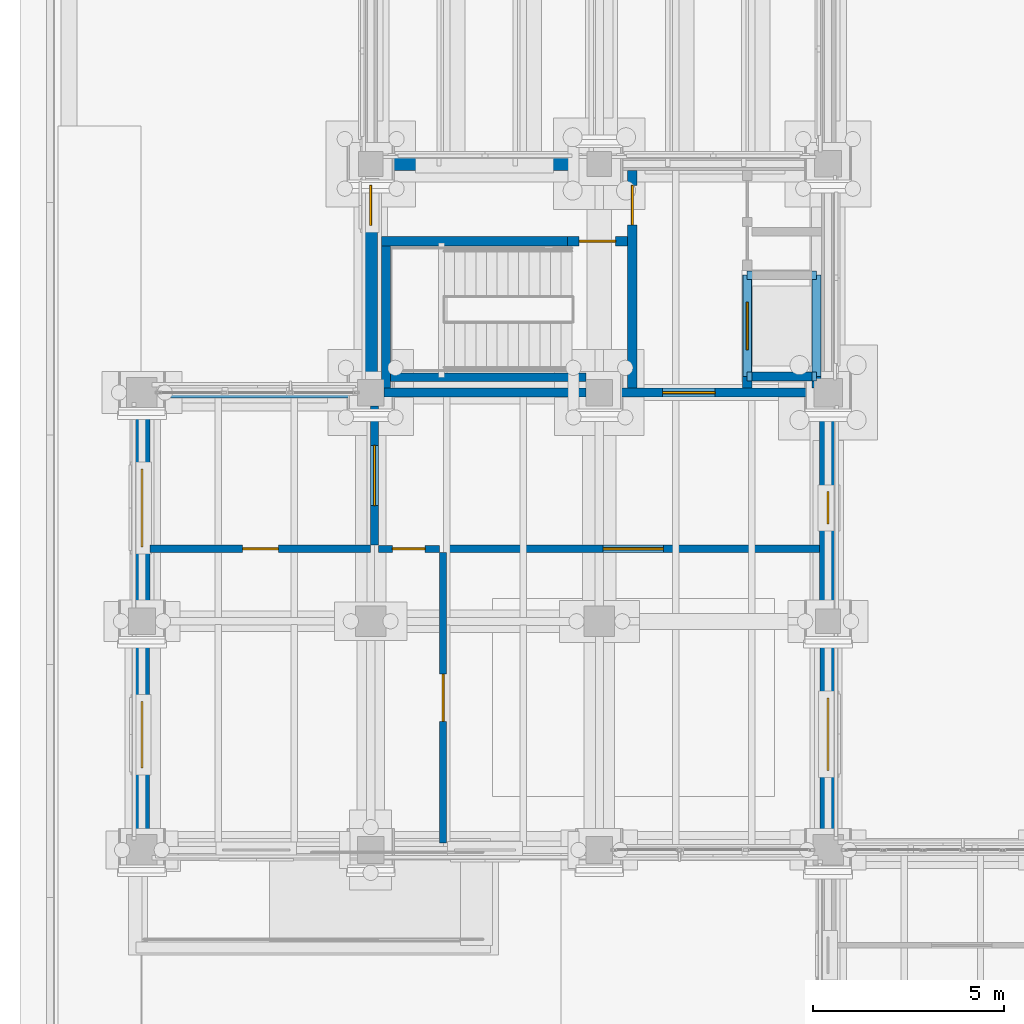
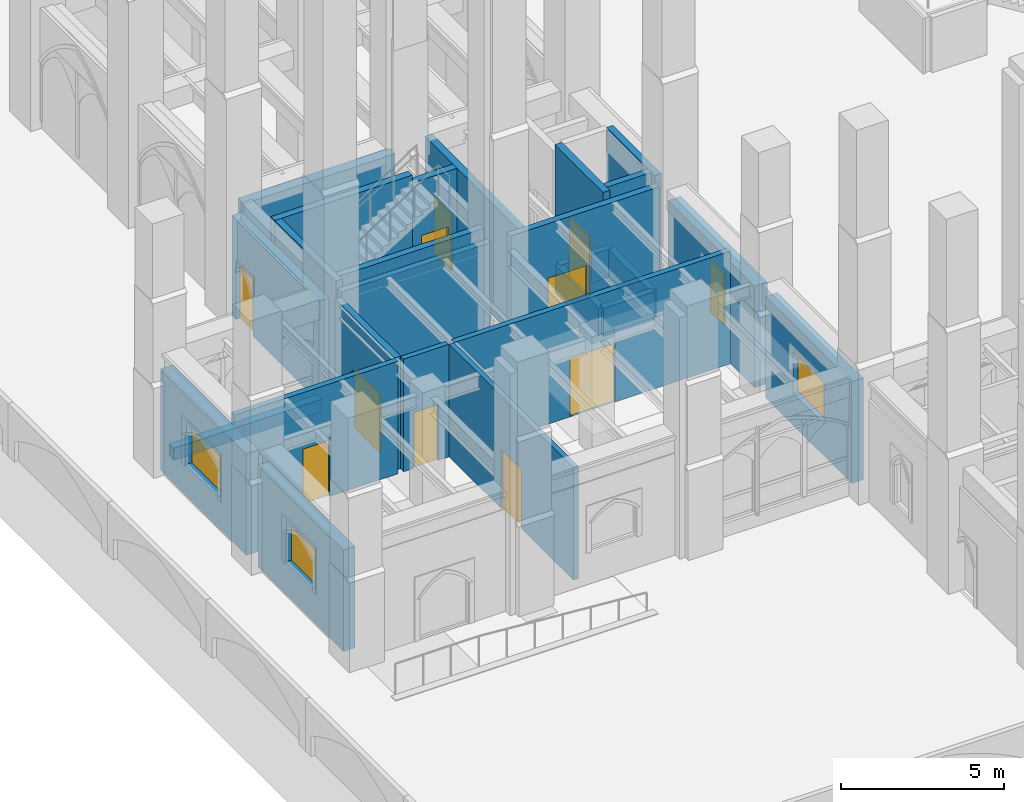
# One storey, part 59 of 135: 26 walls, 10 doors, 4 windows, 14 openings.
"""IFC4 building model written with IfcOpenShell, lengths in metres."""

from ifc_helpers import new_model, si_unit, direction, frame, frame_2d, origin, place, context, subcontext, project, spatial, rectangle, extrude, material, layer, layer_set, type_object, element, fill, save


model = new_model("IFC4")

# Units and contexts
model_context = context("Model", 3, precision=1e-05, world=origin(), true_north=direction((0.0, 1.0)))
body_context = subcontext(model_context, "Body", "Model", "MODEL_VIEW")
ifc_project = project(units=[si_unit("LENGTHUNIT", "METRE"), si_unit("AREAUNIT", "SQUARE_METRE"), si_unit("VOLUMEUNIT", "CUBIC_METRE"), si_unit("PLANEANGLEUNIT", "RADIAN"), si_unit("MASSUNIT", "GRAM", prefix="KILO")], contexts=[model_context])

# Site, building, storey
site_placement = place(None, origin())
site = spatial("IfcSite", under=ifc_project, at=site_placement, CompositionType="ELEMENT")
building_placement = place(site_placement, origin())
building = spatial("IfcBuilding", under=site, at=building_placement, Name="Cumevento Cable Car Station", CompositionType="ELEMENT")
storey_placement = place(building_placement, origin())
storey = spatial("IfcBuildingStorey", under=building, at=storey_placement, Name="L01", CompositionType="ELEMENT", Elevation=0.0)

# Walls
ifc_material_1 = material(Name="Gnaisse Facoidal Stone Ashlar 85 MPa", Category="masonry")
ifc_layer_1 = layer(ifc_material_1, 0.294921875)
ifc_layer_set_1 = layer_set([ifc_layer_1], Name="Gnaisse Facoidal Stone Ashlar 85 MPa")
wall_type_1 = type_object("IfcWallType", Name="Exterior Envelope Wall EW-295 295", PredefinedType="SOLIDWALL", material=ifc_layer_set_1)
wall_1_placement = place(storey_placement, frame((4.39990234375, 27.0, 0.0), z_axis=(0.0, 0.0, 1.0), x_axis=(1.0, 0.0, 0.0)))
element("IfcWall", 1, at=wall_1_placement, inside=storey, type_object=wall_type_1, Name="Exterior Sill Curb Wall EW-295 L01 #45", PredefinedType="SOLIDWALL", context=body_context, shape_type="SweptSolid", body=[
    extrude(rectangle(XDim=5.25, YDim=0.294921875, at=frame_2d((2.625, 0.0))), origin(), (0.0, 0.0, 1.0), 0.4599609375),
])
ifc_material_2 = material(Name="Concrete C40/50", Category="concrete")
ifc_layer_2 = layer(ifc_material_2, 0.35498046875)
ifc_layer_set_2 = layer_set([ifc_layer_2], Name="Concrete C40/50")
wall_type_2 = type_object("IfcWallType", Name="Exterior Envelope Wall EW-355 355", PredefinedType="SOLIDWALL", material=ifc_layer_set_2)
wall_2_placement = place(storey_placement, frame((10.324951171875, 33.0, 0.0), z_axis=(0.0, 0.0, 1.0), x_axis=(1.0, 0.0, 0.0)))
element("IfcWall", 2, at=wall_2_placement, inside=storey, type_object=wall_type_2, Name="Exterior Wall EW-355 L01 #52", PredefinedType="SOLIDWALL", context=body_context, shape_type="SweptSolid", body=[
    extrude(rectangle(XDim=5.35009765625, YDim=0.35498046875, at=frame_2d((2.675048828125, 0.0))), origin(), (0.0, 0.0, 1.0), 3.91796875),
])

# Wall, opening, door
wall_3_placement = place(storey_placement, frame((10.0, 27.35009765625, 0.0), z_axis=(0.0, 0.0, 1.0), x_axis=(0.0, 1.0, 0.0)))
wall_3 = element("IfcWall", 3, at=wall_3_placement, inside=storey, type_object=wall_type_2, Name="Exterior Wall EW-355 L01 #54", PredefinedType="SOLIDWALL", context=body_context, shape_type="SweptSolid", body=[
    extrude(rectangle(XDim=5.324951171875, YDim=0.35498046875, at=frame_2d((2.66259765625, 0.0))), origin(), (0.0, 0.0, 1.0), 3.762939453125),
])
opening_1_placement = place(wall_3_placement, frame((4.034912109375, 0.0, 0.0)))
opening_1 = element("IfcOpeningElement", 4, at=opening_1_placement, cuts=wall_3, Name="Opening DR-L01-EX3", PredefinedType="OPENING", context=body_context, shape_type="SweptSolid", body=[
    extrude(rectangle(XDim=1.050048828125, YDim=2.139892578125, at=frame_2d((0.52490234375, 1.06982421875))), frame((0.0, 0.1875, 0.0), z_axis=(0.0, -1.0, 0.0), x_axis=(1.0, 0.0, 0.0)), (0.0, 0.0, 1.0), 0.375),
])
ifc_material_3 = material(Name="Galvanised Painted Steel Door Assembly", Category="steel")
door_type_1 = type_object("IfcDoorType", Name="Exterior Door ED-11 1050x2140", OperationType="NOTDEFINED", PredefinedType="DOOR", material=ifc_material_3)
door_1_placement = place(opening_1_placement, origin())
door_1 = element("IfcDoor", 5, at=door_1_placement, inside=storey, type_object=door_type_1, Name="Final Pedestrian Exit E3 (Core C3)", OperationType="SINGLE_SWING_RIGHT", OverallHeight=2.139892578125, OverallWidth=1.050048828125, PredefinedType="DOOR", context=body_context, shape_type="SweptSolid", body=[
    extrude(rectangle(XDim=1.050048828125, YDim=2.139892578125, at=frame_2d((0.52490234375, 1.06982421875))), frame((0.0, 0.02490234375, 0.0), z_axis=(0.0, -1.0, 0.0), x_axis=(1.0, 0.0, 0.0)), (0.0, 0.0, 1.0), 0.050048828125),
])
fill(opening_1, door_1)

# Wall, opening, window
ifc_material_4 = material(Name="Concrete C40/50", Category="concrete")
ifc_layer_3 = layer(ifc_material_4, 0.39990234375)
ifc_layer_set_3 = layer_set([ifc_layer_3], Name="Concrete C40/50")
wall_type_3 = type_object("IfcWallType", Name="Exterior Envelope Wall EW-400 400", PredefinedType="SOLIDWALL", material=ifc_layer_set_3)
wall_4_placement = place(storey_placement, frame((4.0, 15.39990234375, 0.0), z_axis=(0.0, 0.0, 1.0), x_axis=(0.0, 1.0, 0.0)))
wall_4 = element("IfcWall", 6, at=wall_4_placement, inside=storey, type_object=wall_type_3, Name="Exterior Wall EW-400 L01 #48", PredefinedType="SOLIDWALL", context=body_context, shape_type="SweptSolid", body=[
    extrude(rectangle(XDim=5.25, YDim=0.39990234375, at=frame_2d((2.625, 0.0))), origin(), (0.0, 0.0, 1.0), 3.80908203125),
])
opening_2_placement = place(wall_4_placement, frame((1.75, 0.0, 1.25)))
opening_2 = element("IfcOpeningElement", 7, at=opening_2_placement, cuts=wall_4, Name="Opening WN-L01-022", PredefinedType="OPENING", context=body_context, shape_type="SweptSolid", body=[
    extrude(rectangle(XDim=1.75, YDim=1.5, at=frame_2d((0.875, 0.75))), frame((0.0, 0.2099609375, 0.0), z_axis=(0.0, -1.0, 0.0), x_axis=(1.0, 0.0, 0.0)), (0.0, 0.0, 1.0), 0.419921875),
])
ifc_material_5 = material(Name="Anodised Bronze Aluminium & Laminated Solar Glass", Category="aluminium")
window_type_1 = type_object("IfcWindowType", Name="Lancet Window WN-22 1750x1500", PartitioningType="DOUBLE_PANEL_VERTICAL", PredefinedType="WINDOW", material=ifc_material_5)
window_1_placement = place(opening_2_placement, origin())
window_1 = element("IfcWindow", 8, at=window_1_placement, inside=storey, type_object=window_type_1, Name="Lancet Window WN-L01-022 (WN-22)", OverallHeight=1.5, OverallWidth=1.75, PartitioningType="SINGLE_PANEL", PredefinedType="WINDOW", context=body_context, shape_type="SweptSolid", body=[
    extrude(rectangle(XDim=1.75, YDim=1.5, at=frame_2d((0.875, 0.75))), frame((0.0, 0.030029296875, 0.0), z_axis=(0.0, -1.0, 0.0), x_axis=(1.0, 0.0, 0.0)), (0.0, 0.0, 1.0), 0.06005859375),
])
fill(opening_2, window_1)

ifc_material_6 = material(Name="Gnaisse Facoidal Stone Ashlar 85 MPa", Category="masonry")
ifc_layer_4 = layer(ifc_material_6, 0.4150390625)
ifc_layer_set_4 = layer_set([ifc_layer_4], Name="Gnaisse Facoidal Stone Ashlar 85 MPa")
wall_type_4 = type_object("IfcWallType", Name="Exterior Envelope Wall EW-415 415", PredefinedType="SOLIDWALL", material=ifc_layer_set_4)
wall_5_placement = place(storey_placement, frame((22.0, 20.675048828125, 0.0), z_axis=(0.0, 0.0, 1.0), x_axis=(0.0, -1.0, 0.0)))
wall_5 = element("IfcWall", 9, at=wall_5_placement, inside=storey, type_object=wall_type_4, Name="Exterior Wall EW-415 L01 #49", PredefinedType="SOLIDWALL", context=body_context, shape_type="SweptSolid", body=[
    extrude(rectangle(XDim=5.275146484375, YDim=0.4150390625, at=frame_2d((2.6376953125, 0.0))), origin(), (0.0, 0.0, 1.0), 3.80908203125),
])
opening_3_placement = place(wall_5_placement, frame((1.6875, 0.0, 1.199951171875)))
opening_3 = element("IfcOpeningElement", 10, at=opening_3_placement, cuts=wall_5, Name="Opening WN-L01-023", PredefinedType="OPENING", context=body_context, shape_type="SweptSolid", body=[
    extrude(rectangle(XDim=1.89990234375, YDim=1.550048828125, at=frame_2d((0.949951171875, 0.77490234375))), frame((0.0, 0.217529296875, 0.0), z_axis=(0.0, -1.0, 0.0), x_axis=(1.0, 0.0, 0.0)), (0.0, 0.0, 1.0), 0.43505859375),
])
ifc_material_7 = material(Name="Anodised Bronze Aluminium & Laminated Solar Glass", Category="aluminium")
window_type_2 = type_object("IfcWindowType", Name="Lancet Window WN-23 1900x1550", PartitioningType="DOUBLE_PANEL_VERTICAL", PredefinedType="WINDOW", material=ifc_material_7)
window_2_placement = place(opening_3_placement, origin())
window_2 = element("IfcWindow", 11, at=window_2_placement, inside=storey, type_object=window_type_2, Name="Lancet Window WN-L01-023 (WN-23)", OverallHeight=1.550048828125, OverallWidth=1.89990234375, PartitioningType="SINGLE_PANEL", PredefinedType="WINDOW", context=body_context, shape_type="SweptSolid", body=[
    extrude(rectangle(XDim=1.89990234375, YDim=1.550048828125, at=frame_2d((0.949951171875, 0.77490234375))), frame((0.0, 0.030029296875, 0.0), z_axis=(0.0, -1.0, 0.0), x_axis=(1.0, 0.0, 0.0)), (0.0, 0.0, 1.0), 0.06005859375),
])
fill(opening_3, window_2)

ifc_material_8 = material(Name="Gnaisse Facoidal Stone Ashlar 85 MPa", Category="masonry")
ifc_layer_5 = layer(ifc_material_8, 0.429931640625)
ifc_layer_set_5 = layer_set([ifc_layer_5], Name="Gnaisse Facoidal Stone Ashlar 85 MPa")
wall_type_5 = type_object("IfcWallType", Name="Exterior Envelope Wall EW-430 430", PredefinedType="SOLIDWALL", material=ifc_layer_set_5)
wall_6_placement = place(storey_placement, frame((4.0, 21.35009765625, 0.0), z_axis=(0.0, 0.0, 1.0), x_axis=(0.0, 1.0, 0.0)))
wall_6 = element("IfcWall", 12, at=wall_6_placement, inside=storey, type_object=wall_type_5, Name="Exterior Wall EW-430 L01 #50", PredefinedType="SOLIDWALL", context=body_context, shape_type="SweptSolid", body=[
    extrude(rectangle(XDim=5.25, YDim=0.429931640625, at=frame_2d((2.625, 0.0))), origin(), (0.0, 0.0, 1.0), 3.80908203125),
])
opening_4_placement = place(wall_6_placement, frame((1.60009765625, 0.0, 1.199951171875)))
opening_4 = element("IfcOpeningElement", 13, at=opening_4_placement, cuts=wall_6, Name="Opening WN-L01-024", PredefinedType="OPENING", context=body_context, shape_type="SweptSolid", body=[
    extrude(rectangle(XDim=2.050048828125, YDim=1.550048828125, at=frame_2d((1.02490234375, 0.77490234375))), frame((0.0, 0.224853515625, 0.0), z_axis=(0.0, -1.0, 0.0), x_axis=(1.0, 0.0, 0.0)), (0.0, 0.0, 1.0), 0.449951171875),
])
ifc_material_9 = material(Name="Anodised Bronze Aluminium & Laminated Solar Glass", Category="aluminium")
window_type_3 = type_object("IfcWindowType", Name="Lancet Window WN-24 2050x1550", PartitioningType="DOUBLE_PANEL_VERTICAL", PredefinedType="WINDOW", material=ifc_material_9)
window_3_placement = place(opening_4_placement, origin())
window_3 = element("IfcWindow", 14, at=window_3_placement, inside=storey, type_object=window_type_3, Name="Lancet Window WN-L01-024 (WN-24)", OverallHeight=1.550048828125, OverallWidth=2.050048828125, PartitioningType="SINGLE_PANEL", PredefinedType="WINDOW", context=body_context, shape_type="SweptSolid", body=[
    extrude(rectangle(XDim=2.050048828125, YDim=1.550048828125, at=frame_2d((1.02490234375, 0.77490234375))), frame((0.0, 0.030029296875, 0.0), z_axis=(0.0, -1.0, 0.0), x_axis=(1.0, 0.0, 0.0)), (0.0, 0.0, 1.0), 0.06005859375),
])
fill(opening_4, window_3)

ifc_material_10 = material(Name="Concrete C40/50", Category="concrete")
ifc_layer_6 = layer(ifc_material_10, 0.449951171875)
ifc_layer_set_6 = layer_set([ifc_layer_6], Name="Concrete C40/50")
wall_type_6 = type_object("IfcWallType", Name="Exterior Envelope Wall EW-450 450", PredefinedType="SOLIDWALL", material=ifc_layer_set_6)
wall_7_placement = place(storey_placement, frame((22.0, 26.625, 0.0), z_axis=(0.0, 0.0, 1.0), x_axis=(0.0, -1.0, 0.0)))
wall_7 = element("IfcWall", 15, at=wall_7_placement, inside=storey, type_object=wall_type_6, Name="Exterior Wall EW-450 L01 #51", PredefinedType="SOLIDWALL", context=body_context, shape_type="SweptSolid", body=[
    extrude(rectangle(XDim=5.300048828125, YDim=0.449951171875, at=frame_2d((2.64990234375, 0.0))), origin(), (0.0, 0.0, 1.0), 3.797119140625),
])
opening_5_placement = place(wall_7_placement, frame((2.22509765625, 0.0, 0.89990234375)))
opening_5 = element("IfcOpeningElement", 16, at=opening_5_placement, cuts=wall_7, Name="Opening WN-L01-025", PredefinedType="OPENING", context=body_context, shape_type="SweptSolid", body=[
    extrude(rectangle(XDim=0.85009765625, YDim=1.949951171875, at=frame_2d((0.425048828125, 0.97509765625))), frame((0.0, 0.235107421875, 0.0), z_axis=(0.0, -1.0, 0.0), x_axis=(1.0, 0.0, 0.0)), (0.0, 0.0, 1.0), 0.469970703125),
])
ifc_material_11 = material(Name="Anodised Bronze Aluminium & Laminated Solar Glass", Category="aluminium")
window_type_4 = type_object("IfcWindowType", Name="Lancet Window WN-01 850x1950", PartitioningType="SINGLE_PANEL", PredefinedType="WINDOW", material=ifc_material_11)
window_4_placement = place(opening_5_placement, origin())
window_4 = element("IfcWindow", 17, at=window_4_placement, inside=storey, type_object=window_type_4, Name="Lancet Window WN-L01-025 (WN-01)", OverallHeight=1.949951171875, OverallWidth=0.85009765625, PartitioningType="SINGLE_PANEL", PredefinedType="WINDOW", context=body_context, shape_type="SweptSolid", body=[
    extrude(rectangle(XDim=0.85009765625, YDim=1.949951171875, at=frame_2d((0.425048828125, 0.97509765625))), frame((0.0, 0.030029296875, 0.0), z_axis=(0.0, -1.0, 0.0), x_axis=(1.0, 0.0, 0.0)), (0.0, 0.0, 1.0), 0.06005859375),
])
fill(opening_5, window_4)

# Wall, opening, door
ifc_material_12 = material(Name="Moisture-Resistant Tile & Stud Partition", Category="gypsum")
ifc_layer_7 = layer(ifc_material_12, 0.175048828125)
ifc_layer_set_7 = layer_set([ifc_layer_7], Name="Moisture-Resistant Tile & Stud Partition")
wall_type_7 = type_object("IfcWallType", Name="Interior Partition PT-175 175", PredefinedType="PARTITIONING", material=ifc_layer_set_7)
wall_8_placement = place(storey_placement, frame((11.89990234375, 15.18701171875, 0.0), z_axis=(0.0, 0.0, 1.0), x_axis=(0.0, 1.0, 0.0)))
wall_8 = element("IfcWall", 18, at=wall_8_placement, inside=storey, type_object=wall_type_7, Name="Interior Wall PT-175 L01 #580", PredefinedType="PARTITIONING", context=body_context, shape_type="SweptSolid", body=[
    extrude(rectangle(XDim=7.613037109375, YDim=0.175048828125, at=frame_2d((3.806640625, 0.0))), origin(), (0.0, 0.0, 1.0), 4.216064453125),
])
opening_6_placement = place(wall_8_placement, frame((3.1865234375, 0.0, 0.0)))
opening_6 = element("IfcOpeningElement", 19, at=opening_6_placement, cuts=wall_8, Name="Opening DR-L01-194", PredefinedType="OPENING", context=body_context, shape_type="SweptSolid", body=[
    extrude(rectangle(XDim=1.239990234375, YDim=2.219970703125, at=frame_2d((0.6201171875, 1.10986328125))), frame((0.0, 0.097412109375, 0.0), z_axis=(0.0, -1.0, 0.0), x_axis=(1.0, 0.0, 0.0)), (0.0, 0.0, 1.0), 0.195068359375),
])
ifc_material_13 = material(Name="Anodised Bronze Aluminium Glazed Door", Category="aluminium")
door_type_2 = type_object("IfcDoorType", Name="Interior Door ID-09 1240x2220", OperationType="NOTDEFINED", PredefinedType="DOOR", material=ifc_material_13)
door_2_placement = place(opening_6_placement, origin())
door_2 = element("IfcDoor", 20, at=door_2_placement, inside=storey, type_object=door_type_2, Name="Interior Door DR-L01-194 (ID-09)", OperationType="SINGLE_SWING_RIGHT", OverallHeight=2.219970703125, OverallWidth=1.239990234375, PredefinedType="DOOR", context=body_context, shape_type="SweptSolid", body=[
    extrude(rectangle(XDim=1.239990234375, YDim=2.219970703125, at=frame_2d((0.6201171875, 1.10986328125))), frame((0.0, 0.02490234375, 0.0), z_axis=(0.0, -1.0, 0.0), x_axis=(1.0, 0.0, 0.0)), (0.0, 0.0, 1.0), 0.050048828125),
])
fill(opening_6, door_2)

ifc_material_14 = material(Name="Moisture-Resistant Tile & Stud Partition", Category="gypsum")
ifc_layer_8 = layer(ifc_material_14, 0.18505859375)
ifc_layer_set_8 = layer_set([ifc_layer_8], Name="Moisture-Resistant Tile & Stud Partition")
wall_type_8 = type_object("IfcWallType", Name="Interior Partition PT-185 185", PredefinedType="PARTITIONING", material=ifc_layer_set_8)
wall_9_placement = place(storey_placement, frame((10.199951171875, 22.89990234375, 0.0), z_axis=(0.0, 0.0, 1.0), x_axis=(1.0, 0.0, 0.0)))
wall_9 = element("IfcWall", 21, at=wall_9_placement, inside=storey, type_object=wall_type_8, Name="Interior Wall PT-185 L01 #581", PredefinedType="PARTITIONING", context=body_context, shape_type="SweptSolid", body=[
    extrude(rectangle(XDim=1.60009765625, YDim=0.18505859375, at=frame_2d((0.800048828125, 0.0))), origin(), (0.0, 0.0, 1.0), 4.216064453125),
])
opening_7_placement = place(wall_9_placement, frame((0.3701171875, 0.0, 0.0)))
opening_7 = element("IfcOpeningElement", 22, at=opening_7_placement, cuts=wall_9, Name="Opening DR-L01-195", PredefinedType="OPENING", context=body_context, shape_type="SweptSolid", body=[
    extrude(rectangle(XDim=0.860107421875, YDim=2.10009765625, at=frame_2d((0.43017578125, 1.050048828125))), frame((0.0, 0.1025390625, 0.0), z_axis=(0.0, -1.0, 0.0), x_axis=(1.0, 0.0, 0.0)), (0.0, 0.0, 1.0), 0.205078125),
])
ifc_material_15 = material(Name="Hardwood Ipe Timber Door Leaf", Category="wood")
door_type_3 = type_object("IfcDoorType", Name="Interior Door ID-01 860x2100", OperationType="NOTDEFINED", PredefinedType="DOOR", material=ifc_material_15)
door_3_placement = place(opening_7_placement, origin())
door_3 = element("IfcDoor", 23, at=door_3_placement, inside=storey, type_object=door_type_3, Name="Interior Door DR-L01-195 (ID-01)", OperationType="SINGLE_SWING_LEFT", OverallHeight=2.10009765625, OverallWidth=0.860107421875, PredefinedType="DOOR", context=body_context, shape_type="SweptSolid", body=[
    extrude(rectangle(XDim=0.860107421875, YDim=2.10009765625, at=frame_2d((0.43017578125, 1.050048828125))), frame((0.0, 0.02490234375, 0.0), z_axis=(0.0, -1.0, 0.0), x_axis=(1.0, 0.0, 0.0)), (0.0, 0.0, 1.0), 0.050048828125),
])
fill(opening_7, door_3)

ifc_material_16 = material(Name="Acoustic Double-Stud Partition", Category="gypsum")
ifc_layer_9 = layer(ifc_material_16, 0.195068359375)
ifc_layer_set_9 = layer_set([ifc_layer_9], Name="Acoustic Double-Stud Partition")
wall_type_9 = type_object("IfcWallType", Name="Interior Partition PT-195 195", PredefinedType="PARTITIONING", material=ifc_layer_set_9)
wall_10_placement = place(storey_placement, frame((4.217041015625, 22.89990234375, 0.0), z_axis=(0.0, 0.0, 1.0), x_axis=(1.0, 0.0, 0.0)))
wall_10 = element("IfcWall", 24, at=wall_10_placement, inside=storey, type_object=wall_type_9, Name="Interior Wall PT-195 L01 #582", PredefinedType="PARTITIONING", context=body_context, shape_type="SweptSolid", body=[
    extrude(rectangle(XDim=5.782958984375, YDim=0.195068359375, at=frame_2d((2.8916015625, 0.0))), origin(), (0.0, 0.0, 1.0), 4.216064453125),
])
opening_8_placement = place(wall_10_placement, frame((2.42138671875, 0.0, 0.0)))
opening_8 = element("IfcOpeningElement", 25, at=opening_8_placement, cuts=wall_10, Name="Opening DR-L01-196", PredefinedType="OPENING", context=body_context, shape_type="SweptSolid", body=[
    extrude(rectangle(XDim=0.93994140625, YDim=2.10009765625, at=frame_2d((0.469970703125, 1.050048828125))), frame((0.0, 0.107666015625, 0.0), z_axis=(0.0, -1.0, 0.0), x_axis=(1.0, 0.0, 0.0)), (0.0, 0.0, 1.0), 0.215087890625),
])
ifc_material_17 = material(Name="Galvanised Painted Steel Fire Door", Category="steel")
door_type_4 = type_object("IfcDoorType", Name="Interior Door FD-08 940x2100", OperationType="NOTDEFINED", PredefinedType="DOOR", material=ifc_material_17)
door_4_placement = place(opening_8_placement, origin())
door_4 = element("IfcDoor", 26, at=door_4_placement, inside=storey, type_object=door_type_4, Name="Interior Door DR-L01-196 (FD-08)", OperationType="SINGLE_SWING_RIGHT", OverallHeight=2.10009765625, OverallWidth=0.93994140625, PredefinedType="DOOR", context=body_context, shape_type="SweptSolid", body=[
    extrude(rectangle(XDim=0.93994140625, YDim=2.10009765625, at=frame_2d((0.469970703125, 1.050048828125))), frame((0.0, 0.02490234375, 0.0), z_axis=(0.0, -1.0, 0.0), x_axis=(1.0, 0.0, 0.0)), (0.0, 0.0, 1.0), 0.050048828125),
])
fill(opening_8, door_4)

wall_11_placement = place(storey_placement, frame((12.0, 22.89990234375, 0.0), z_axis=(0.0, 0.0, 1.0), x_axis=(1.0, 0.0, 0.0)))
wall_11 = element("IfcWall", 27, at=wall_11_placement, inside=storey, type_object=wall_type_9, Name="Interior Wall PT-195 L01 #583", PredefinedType="PARTITIONING", context=body_context, shape_type="SweptSolid", body=[
    extrude(rectangle(XDim=9.77294921875, YDim=0.195068359375, at=frame_2d((4.886474609375, 0.0))), origin(), (0.0, 0.0, 1.0), 4.216064453125),
])
opening_9_placement = place(wall_11_placement, frame((4.096435546875, 0.0, 0.0)))
opening_9 = element("IfcOpeningElement", 28, at=opening_9_placement, cuts=wall_11, Name="Opening DR-L01-197", PredefinedType="OPENING", context=body_context, shape_type="SweptSolid", body=[
    extrude(rectangle(XDim=1.580078125, YDim=2.199951171875, at=frame_2d((0.7900390625, 1.10009765625))), frame((0.0, 0.107666015625, 0.0), z_axis=(0.0, -1.0, 0.0), x_axis=(1.0, 0.0, 0.0)), (0.0, 0.0, 1.0), 0.215087890625),
])
ifc_material_18 = material(Name="Galvanised Painted Steel Fire Door", Category="steel")
door_type_5 = type_object("IfcDoorType", Name="Interior Door FD-06 1580x2200", OperationType="NOTDEFINED", PredefinedType="DOOR", material=ifc_material_18)
door_5_placement = place(opening_9_placement, origin())
door_5 = element("IfcDoor", 29, at=door_5_placement, inside=storey, type_object=door_type_5, Name="Interior Door DR-L01-197 (FD-06)", OperationType="DOUBLE_DOOR_SINGLE_SWING", OverallHeight=2.199951171875, OverallWidth=1.580078125, PredefinedType="DOOR", context=body_context, shape_type="SweptSolid", body=[
    extrude(rectangle(XDim=1.580078125, YDim=2.199951171875, at=frame_2d((0.7900390625, 1.10009765625))), frame((0.0, 0.02490234375, 0.0), z_axis=(0.0, -1.0, 0.0), x_axis=(1.0, 0.0, 0.0)), (0.0, 0.0, 1.0), 0.050048828125),
])
fill(opening_9, door_5)

ifc_material_19 = material(Name="Acoustic Double-Stud Partition", Category="gypsum")
ifc_layer_10 = layer(ifc_material_19, 0.218017578125)
ifc_layer_set_10 = layer_set([ifc_layer_10], Name="Acoustic Double-Stud Partition")
wall_type_10 = type_object("IfcWallType", Name="Interior Partition PT-218 218", PredefinedType="PARTITIONING", material=ifc_layer_set_10)
wall_12_placement = place(storey_placement, frame((10.10009765625, 23.0, 0.0), z_axis=(0.0, 0.0, 1.0), x_axis=(0.0, 1.0, 0.0)))
wall_12 = element("IfcWall", 30, at=wall_12_placement, inside=storey, type_object=wall_type_10, Name="Interior Wall PT-218 L01 #584", PredefinedType="PARTITIONING", context=body_context, shape_type="SweptSolid", body=[
    extrude(rectangle(XDim=3.64794921875, YDim=0.218017578125, at=frame_2d((1.823974609375, 0.0))), origin(), (0.0, 0.0, 1.0), 4.216064453125),
])
opening_10_placement = place(wall_12_placement, frame((1.033935546875, 0.0, 0.0)))
opening_10 = element("IfcOpeningElement", 31, at=opening_10_placement, cuts=wall_12, Name="Opening DR-L01-198", PredefinedType="OPENING", context=body_context, shape_type="SweptSolid", body=[
    extrude(rectangle(XDim=1.580078125, YDim=2.199951171875, at=frame_2d((0.7900390625, 1.10009765625))), frame((0.0, 0.118896484375, 0.0), z_axis=(0.0, -1.0, 0.0), x_axis=(1.0, 0.0, 0.0)), (0.0, 0.0, 1.0), 0.238037109375),
])
door_6_placement = place(opening_10_placement, origin())
door_6 = element("IfcDoor", 32, at=door_6_placement, inside=storey, type_object=door_type_5, Name="Interior Door DR-L01-198 (FD-06)", OperationType="DOUBLE_DOOR_SINGLE_SWING", OverallHeight=2.199951171875, OverallWidth=1.580078125, PredefinedType="DOOR", context=body_context, shape_type="SweptSolid", body=[
    extrude(rectangle(XDim=1.580078125, YDim=2.199951171875, at=frame_2d((0.7900390625, 1.10009765625))), frame((0.0, 0.02490234375, 0.0), z_axis=(0.0, -1.0, 0.0), x_axis=(1.0, 0.0, 0.0)), (0.0, 0.0, 1.0), 0.050048828125),
])
fill(opening_10, door_6)

# Walls
ifc_material_20 = material(Name="Concrete C40/50", Category="concrete")
ifc_layer_11 = layer(ifc_material_20, 0.22998046875)
ifc_layer_set_11 = layer_set([ifc_layer_11], Name="Concrete C40/50")
wall_type_11 = type_object("IfcWallType", Name="Interior Shear Wall CW-230 230", PredefinedType="SHEAR", material=ifc_layer_set_11)
wall_13_placement = place(storey_placement, frame((19.8798828125, 27.419921875, -1.050048828125), z_axis=(0.0, 0.0, 1.0), x_axis=(1.0, 0.0, 0.0)))
element("IfcWall", 33, at=wall_13_placement, inside=storey, type_object=wall_type_11, Name="Interior Wall CW-230 L01 #263", PredefinedType="SHEAR", context=body_context, shape_type="SweptSolid", body=[
    extrude(rectangle(XDim=1.820068359375, YDim=0.22998046875, at=frame_2d((0.91015625, 0.0))), origin(), (0.0, 0.0, 1.0), 1.050048828125),
])
wall_14_placement = place(storey_placement, frame((21.699951171875, 27.419921875, -1.050048828125), z_axis=(0.0, 0.0, 1.0), x_axis=(0.0, 1.0, 0.0)))
element("IfcWall", 34, at=wall_14_placement, inside=storey, type_object=wall_type_11, Name="Interior Wall CW-230 L01 #264", PredefinedType="SHEAR", context=body_context, shape_type="SweptSolid", body=[
    extrude(rectangle(XDim=2.66015625, YDim=0.22998046875, at=frame_2d((1.330078125, 0.0))), origin(), (0.0, 0.0, 1.0), 1.050048828125),
])
wall_15_placement = place(storey_placement, frame((21.699951171875, 30.080078125, -1.050048828125), z_axis=(0.0, 0.0, 1.0), x_axis=(-1.0, 0.0, 0.0)))
element("IfcWall", 35, at=wall_15_placement, inside=storey, type_object=wall_type_11, Name="Interior Wall CW-230 L01 #265", PredefinedType="SHEAR", context=body_context, shape_type="SweptSolid", body=[
    extrude(rectangle(XDim=1.820068359375, YDim=0.22998046875, at=frame_2d((0.91015625, 0.0))), origin(), (0.0, 0.0, 1.0), 1.050048828125),
])
wall_16_placement = place(storey_placement, frame((19.8798828125, 30.080078125, -1.050048828125), z_axis=(0.0, 0.0, 1.0), x_axis=(0.0, -1.0, 0.0)))
element("IfcWall", 36, at=wall_16_placement, inside=storey, type_object=wall_type_11, Name="Interior Wall CW-230 L01 #266", PredefinedType="SHEAR", context=body_context, shape_type="SweptSolid", body=[
    extrude(rectangle(XDim=2.66015625, YDim=0.22998046875, at=frame_2d((1.330078125, 0.0))), origin(), (0.0, 0.0, 1.0), 1.050048828125),
])
wall_17_placement = place(storey_placement, frame((10.35009765625, 27.0, 0.0), z_axis=(0.0, 0.0, 1.0), x_axis=(1.0, 0.0, 0.0)))
element("IfcWall", 37, at=wall_17_placement, inside=storey, type_object=wall_type_11, Name="Interior Wall CW-230 L01 #271", PredefinedType="SHEAR", context=body_context, shape_type="SweptSolid", body=[
    extrude(rectangle(XDim=5.2998046875, YDim=0.22998046875, at=frame_2d((2.64990234375, 0.0))), origin(), (0.0, 0.0, 1.0), 4.2041015625),
])

# Wall, opening, door
wall_18_placement = place(storey_placement, frame((16.35009765625, 27.0, 0.0), z_axis=(0.0, 0.0, 1.0), x_axis=(1.0, 0.0, 0.0)))
wall_18 = element("IfcWall", 38, at=wall_18_placement, inside=storey, type_object=wall_type_11, Name="Interior Wall CW-230 L01 #272", PredefinedType="SHEAR", context=body_context, shape_type="SweptSolid", body=[
    extrude(rectangle(XDim=5.27490234375, YDim=0.22998046875, at=frame_2d((2.637451171875, 0.0))), origin(), (0.0, 0.0, 1.0), 4.2041015625),
])
opening_11_placement = place(wall_18_placement, frame((1.31005859375, 0.0, 0.0)))
opening_11 = element("IfcOpeningElement", 39, at=opening_11_placement, cuts=wall_18, Name="Opening DR-L01-065", PredefinedType="OPENING", context=body_context, shape_type="SweptSolid", body=[
    extrude(rectangle(XDim=1.3798828125, YDim=2.159912109375, at=frame_2d((0.68994140625, 1.080078125))), frame((0.0, 0.125, 0.0), z_axis=(0.0, -1.0, 0.0), x_axis=(1.0, 0.0, 0.0)), (0.0, 0.0, 1.0), 0.25),
])
ifc_material_21 = material(Name="Galvanised Painted Steel Fire Door", Category="steel")
door_type_6 = type_object("IfcDoorType", Name="Interior Door FD-04 1380x2160", OperationType="NOTDEFINED", PredefinedType="DOOR", material=ifc_material_21)
door_7_placement = place(opening_11_placement, origin())
door_7 = element("IfcDoor", 40, at=door_7_placement, inside=storey, type_object=door_type_6, Name="Core CORE3 S_lobby Fire Door L01", OperationType="DOUBLE_DOOR_SINGLE_SWING", OverallHeight=2.159912109375, OverallWidth=1.3798828125, PredefinedType="DOOR", context=body_context, shape_type="SweptSolid", body=[
    extrude(rectangle(XDim=1.3798828125, YDim=2.159912109375, at=frame_2d((0.68994140625, 1.080078125))), frame((0.0, 0.02490234375, 0.0), z_axis=(0.0, -1.0, 0.0), x_axis=(1.0, 0.0, 0.0)), (0.0, 0.0, 1.0), 0.050048828125),
])
fill(opening_11, door_7)

# Walls
wall_19_placement = place(storey_placement, frame((10.405029296875, 27.114990234375, 0.0), z_axis=(0.0, 0.0, 1.0), x_axis=(0.0, 1.0, 0.0)))
element("IfcWall", 41, at=wall_19_placement, inside=storey, type_object=wall_type_11, Name="Interior Wall CW-230 L01 #273", PredefinedType="SHEAR", context=body_context, shape_type="SweptSolid", body=[
    extrude(rectangle(XDim=3.735107421875, YDim=0.22998046875, at=frame_2d((1.86767578125, 0.0))), origin(), (0.0, 0.0, 1.0), 4.5),
])
wall_20_placement = place(storey_placement, frame((10.52001953125, 27.405029296875, 0.0), z_axis=(0.0, 0.0, 1.0), x_axis=(1.0, 0.0, 0.0)))
element("IfcWall", 42, at=wall_20_placement, inside=storey, type_object=wall_type_11, Name="Interior Wall CW-230 L01 #274", PredefinedType="SHEAR", context=body_context, shape_type="SweptSolid", body=[
    extrude(rectangle(XDim=5.1298828125, YDim=0.22998046875, at=frame_2d((2.56494140625, 0.0))), origin(), (0.0, 0.0, 1.0), 4.5),
])
wall_21_placement = place(storey_placement, frame((20.0048828125, 27.419921875, 0.0), z_axis=(0.0, 0.0, 1.0), x_axis=(1.0, 0.0, 0.0)))
element("IfcWall", 43, at=wall_21_placement, inside=storey, type_object=wall_type_11, Name="Interior Wall CW-230 L01 #279", PredefinedType="SHEAR", context=body_context, shape_type="SweptSolid", body=[
    extrude(rectangle(XDim=1.580078125, YDim=0.22998046875, at=frame_2d((0.7900390625, 0.0))), origin(), (0.0, 0.0, 1.0), 4.5),
])
wall_22_placement = place(storey_placement, frame((21.699951171875, 27.114990234375, 0.0), z_axis=(0.0, 0.0, 1.0), x_axis=(0.0, 1.0, 0.0)))
element("IfcWall", 44, at=wall_22_placement, inside=storey, type_object=wall_type_11, Name="Interior Wall CW-230 L01 #280", PredefinedType="SHEAR", context=body_context, shape_type="SweptSolid", body=[
    extrude(rectangle(XDim=2.965087890625, YDim=0.22998046875, at=frame_2d((1.482421875, 0.0))), origin(), (0.0, 0.0, 1.0), 4.5),
])
ifc_material_22 = material(Name="Concrete C40/50", Category="concrete")
ifc_layer_12 = layer(ifc_material_22, 0.25)
ifc_layer_set_12 = layer_set([ifc_layer_12], Name="Concrete C40/50")
wall_type_12 = type_object("IfcWallType", Name="Interior Shear Wall CW-250 250", PredefinedType="SHEAR", material=ifc_layer_set_12)
wall_23_placement = place(storey_placement, frame((10.2900390625, 30.97509765625, 0.0), z_axis=(0.0, 0.0, 1.0), x_axis=(1.0, 0.0, 0.0)))
element("IfcWall", 45, at=wall_23_placement, inside=storey, type_object=wall_type_12, Name="Interior Wall CW-250 L01 #275", PredefinedType="SHEAR", context=body_context, shape_type="SweptSolid", body=[
    extrude(rectangle(XDim=4.869873046875, YDim=0.25, at=frame_2d((2.43505859375, 0.0))), origin(), (0.0, 0.0, 1.0), 4.5),
])

# Wall, opening, door
wall_24_placement = place(storey_placement, frame((15.159912109375, 30.97509765625, 0.0), z_axis=(0.0, 0.0, 1.0), x_axis=(1.0, 0.0, 0.0)))
wall_24 = element("IfcWall", 46, at=wall_24_placement, inside=storey, type_object=wall_type_12, Name="Interior Wall CW-250 L01 #276", PredefinedType="SHEAR", context=body_context, shape_type="SweptSolid", body=[
    extrude(rectangle(XDim=1.580078125, YDim=0.25, at=frame_2d((0.7900390625, 0.0))), origin(), (0.0, 0.0, 1.0), 4.2041015625),
])
opening_12_placement = place(wall_24_placement, frame((0.31005859375, 0.0, 0.0)))
opening_12 = element("IfcOpeningElement", 47, at=opening_12_placement, cuts=wall_24, Name="Opening DR-L01-066", PredefinedType="OPENING", context=body_context, shape_type="SweptSolid", body=[
    extrude(rectangle(XDim=0.9599609375, YDim=2.1201171875, at=frame_2d((0.47998046875, 1.06005859375))), frame((0.0, 0.135009765625, 0.0), z_axis=(0.0, -1.0, 0.0), x_axis=(1.0, 0.0, 0.0)), (0.0, 0.0, 1.0), 0.27001953125),
])
ifc_material_23 = material(Name="Galvanised Painted Steel Fire Door", Category="steel")
door_type_7 = type_object("IfcDoorType", Name="Interior Door FD-01 960x2120", OperationType="NOTDEFINED", PredefinedType="DOOR", material=ifc_material_23)
door_8_placement = place(opening_12_placement, origin())
door_8 = element("IfcDoor", 48, at=door_8_placement, inside=storey, type_object=door_type_7, Name="Stair ST-03 Enclosure Door L01", OperationType="SINGLE_SWING_RIGHT", OverallHeight=2.1201171875, OverallWidth=0.9599609375, PredefinedType="DOOR", context=body_context, shape_type="SweptSolid", body=[
    extrude(rectangle(XDim=0.9599609375, YDim=2.1201171875, at=frame_2d((0.47998046875, 1.06005859375))), frame((0.0, 0.02490234375, 0.0), z_axis=(0.0, -1.0, 0.0), x_axis=(1.0, 0.0, 0.0)), (0.0, 0.0, 1.0), 0.050048828125),
])
fill(opening_12, door_8)

wall_25_placement = place(storey_placement, frame((16.864990234375, 27.114990234375, 0.0), z_axis=(0.0, 0.0, 1.0), x_axis=(0.0, 1.0, 0.0)))
wall_25 = element("IfcWall", 49, at=wall_25_placement, inside=storey, type_object=wall_type_12, Name="Interior Wall CW-250 L01 #277", PredefinedType="SHEAR", context=body_context, shape_type="SweptSolid", body=[
    extrude(rectangle(XDim=5.7099609375, YDim=0.25, at=frame_2d((2.85498046875, 0.0))), origin(), (0.0, 0.0, 1.0), 4.2041015625),
])
opening_13_placement = place(wall_25_placement, frame((4.284912109375, 0.0, 0.0)))
opening_13 = element("IfcOpeningElement", 50, at=opening_13_placement, cuts=wall_25, Name="Opening DR-L01-067", PredefinedType="OPENING", context=body_context, shape_type="SweptSolid", body=[
    extrude(rectangle(XDim=1.0400390625, YDim=2.139892578125, at=frame_2d((0.52001953125, 1.06982421875))), frame((0.0, 0.135009765625, 0.0), z_axis=(0.0, -1.0, 0.0), x_axis=(1.0, 0.0, 0.0)), (0.0, 0.0, 1.0), 0.27001953125),
])
ifc_material_24 = material(Name="Galvanised Painted Steel Fire Door", Category="steel")
door_type_8 = type_object("IfcDoorType", Name="Interior Door FD-02 1040x2140", OperationType="NOTDEFINED", PredefinedType="DOOR", material=ifc_material_24)
door_9_placement = place(opening_13_placement, origin())
door_9 = element("IfcDoor", 51, at=door_9_placement, inside=storey, type_object=door_type_8, Name="Lobby Vestibule Door CORE3 L01", OperationType="SINGLE_SWING_LEFT", OverallHeight=2.139892578125, OverallWidth=1.0400390625, PredefinedType="DOOR", context=body_context, shape_type="SweptSolid", body=[
    extrude(rectangle(XDim=1.0400390625, YDim=2.139892578125, at=frame_2d((0.52001953125, 1.06982421875))), frame((0.0, 0.02490234375, 0.0), z_axis=(0.0, -1.0, 0.0), x_axis=(1.0, 0.0, 0.0)), (0.0, 0.0, 1.0), 0.050048828125),
])
fill(opening_13, door_9)

wall_26_placement = place(storey_placement, frame((19.8798828125, 27.114990234375, 0.0), z_axis=(0.0, 0.0, 1.0), x_axis=(0.0, 1.0, 0.0)))
wall_26 = element("IfcWall", 52, at=wall_26_placement, inside=storey, type_object=wall_type_12, Name="Interior Wall CW-250 L01 #278", PredefinedType="SHEAR", context=body_context, shape_type="SweptSolid", body=[
    extrude(rectangle(XDim=2.965087890625, YDim=0.25, at=frame_2d((1.482421875, 0.0))), origin(), (0.0, 0.0, 1.0), 4.5),
])
opening_14_placement = place(wall_26_placement, frame((1.014892578125, 0.0, 0.0)))
opening_14 = element("IfcOpeningElement", 53, at=opening_14_placement, cuts=wall_26, Name="Opening LD-LF03-L01", PredefinedType="OPENING", context=body_context, shape_type="SweptSolid", body=[
    extrude(rectangle(XDim=1.239990234375, YDim=2.199951171875, at=frame_2d((0.6201171875, 1.10009765625))), frame((0.0, 0.135009765625, 0.0), z_axis=(0.0, -1.0, 0.0), x_axis=(1.0, 0.0, 0.0)), (0.0, 0.0, 1.0), 0.27001953125),
])
ifc_material_25 = material(Name="Brushed Stainless Steel Lift Door", Category="steel")
door_type_9 = type_object("IfcDoorType", Name="Interior Door LD-03 1240x2200", OperationType="NOTDEFINED", PredefinedType="DOOR", material=ifc_material_25)
door_10_placement = place(opening_14_placement, origin())
door_10 = element("IfcDoor", 54, at=door_10_placement, inside=storey, type_object=door_type_9, Name="Lift Landing Door LD-LF03-L01", OperationType="SLIDING_TO_LEFT", OverallHeight=2.199951171875, OverallWidth=1.239990234375, PredefinedType="DOOR", context=body_context, shape_type="SweptSolid", body=[
    extrude(rectangle(XDim=1.239990234375, YDim=2.199951171875, at=frame_2d((0.6201171875, 1.10009765625))), frame((0.0, 0.02490234375, 0.0), z_axis=(0.0, -1.0, 0.0), x_axis=(1.0, 0.0, 0.0)), (0.0, 0.0, 1.0), 0.050048828125),
])
fill(opening_14, door_10)

save(model, "model.ifc")
